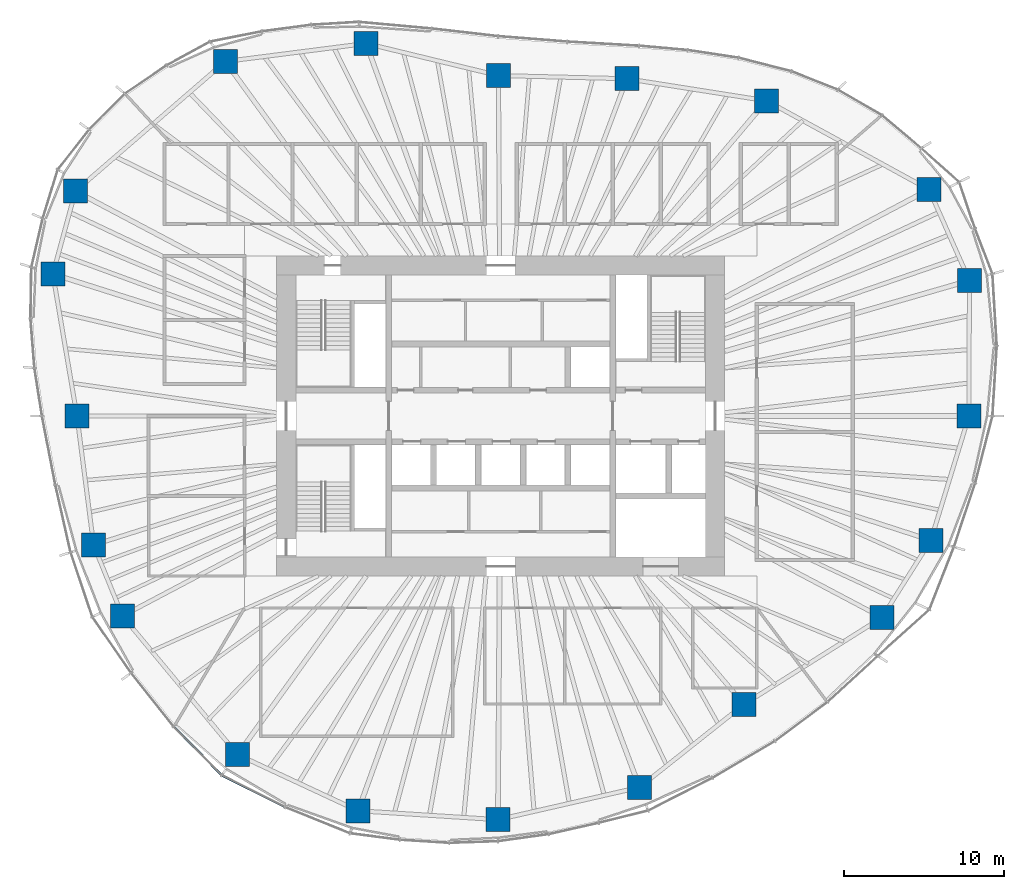
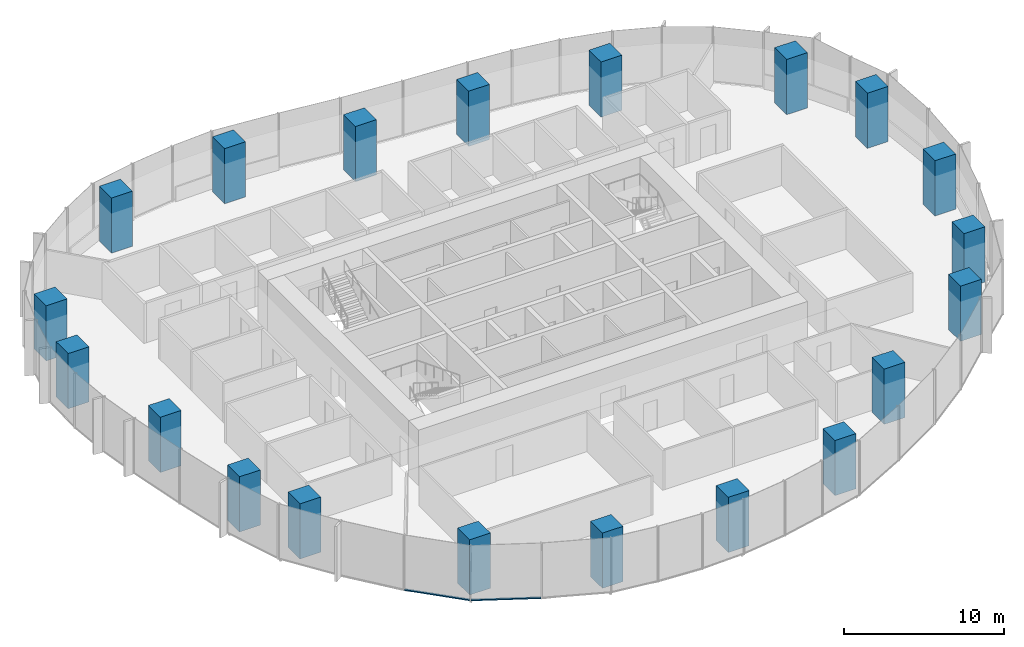
# One storey, part 1 of 18: 20 columns, 2 members, 2 elements without a shape of their own.
"""IFC4 building model written with IfcOpenShell, lengths in metres."""

from ifc_helpers import new_model, si_unit, direction, frame, origin, origin_2d, place, context, subcontext, project, spatial, rectangle, extrude, material, material_profile, profile_set, type_object, element, aggregate, save


model = new_model("IFC4")

# Units and contexts
model_context = context("Model", 3, precision=1e-05, world=origin(), true_north=direction((0.0, 1.0)))
body_context = subcontext(model_context, "Body", "Model", "MODEL_VIEW")
ifc_project = project(units=[si_unit("LENGTHUNIT", "METRE"), si_unit("AREAUNIT", "SQUARE_METRE"), si_unit("VOLUMEUNIT", "CUBIC_METRE"), si_unit("PLANEANGLEUNIT", "RADIAN"), si_unit("MASSUNIT", "GRAM", prefix="KILO")], contexts=[model_context])

# Site, building, storey
site_placement = place(None, origin())
site = spatial("IfcSite", under=ifc_project, at=site_placement, CompositionType="ELEMENT")
building_placement = place(site_placement, origin())
building = spatial("IfcBuilding", under=site, at=building_placement, Name="Ghaith Harvest Tower", CompositionType="ELEMENT")
storey_placement = place(building_placement, frame((0.0, 0.0, 138.60009765625)))
storey = spatial("IfcBuildingStorey", under=building, at=storey_placement, Name="L29", CompositionType="ELEMENT", Elevation=138.60009765625)

# Columns
ifc_material_1 = material(Name="Concrete C60/75", Category="concrete")
ifc_material_profile_1 = material_profile(ifc_material_1, rectangle(XDim=1.5, YDim=1.5, at=origin_2d()), Name="RC1500X1500")
ifc_profile_set_1 = profile_set([ifc_material_profile_1], Name="Concrete C60/75")
column_type = type_object("IfcColumnType", Name="TC3 RC1500X1500", PredefinedType="COLUMN", material=ifc_profile_set_1)
for number, where, z_axis, x_axis, name in (
    (1, (29.259033203125, 0.0, 0.0), (0.0, 0.0, 1.0), (1.0, 0.0, 0.0), "Perimeter column C01"),
    (2, (29.285888671875, 8.464111328125, 0.0), (0.0, 0.0, 1.0), (1.0, 0.0, 0.0), "Perimeter column C02"),
    (3, (26.763916015625, 14.14697265625, 0.0), (0.0, 0.0, 1.0), (1.0, 0.0, 0.0), "Perimeter column C03"),
    (4, (16.60791015625, 19.695068359375, 0.0), (0.0, 0.0, 1.0), (1.0, 0.0, 0.0), "Perimeter column C04"),
    (5, (7.8779296875, 21.072021484375, 0.0), (0.0, 0.0, 1.0), (1.0, 0.0, 0.0), "Perimeter column C05"),
    (6, (-0.14599609375, 21.27099609375, 0.0), (0.0, 0.0, 1.0), (1.0, 0.0, 0.0), "Perimeter column C06"),
    (7, (-8.406982421875, 23.27587890625, 0.0), (0.0, 0.0, 1.0), (1.0, 0.0, 0.0), "Perimeter column C07"),
    (8, (-17.201904296875, 22.14990234375, 0.0), (0.0, 0.0, 1.0), (1.0, 0.0, 0.0), "Perimeter column C08"),
    (9, (-26.572998046875, 14.0458984375, 0.0), (0.0, 0.0, 1.0), (1.0, 0.0, 0.0), "Perimeter column C09"),
    (10, (-27.98291015625, 8.867919921875, 0.0), (0.0, 0.0, 1.0), (1.0, 0.0, 0.0), "Perimeter column C10"),
    (11, (-26.47509765625, 0.0, 0.0), (0.0, 0.0, 1.0), (1.0, 0.0, 0.0), "Perimeter column C11"),
    (12, (-25.43603515625, -8.06103515625, 0.0), (0.0, 0.0, 1.0), (1.0, 0.0, 0.0), "Perimeter column C12"),
    (13, (-23.635009765625, -12.492919921875, 0.0), (0.0, 0.0, 1.0), (1.0, 0.0, 0.0), "Perimeter column C13"),
    (14, (-16.43701171875, -21.1640625, 0.0), (0.0, 0.0, 1.0), (1.0, 0.0, 0.0), "Perimeter column C14"),
    (15, (-8.908935546875, -24.66796875, 0.0), (0.0, 0.0, 1.0), (1.0, 0.0, 0.0), "Perimeter column C15"),
    (16, (-0.173095703125, -25.22412109375, 0.0), (0.0, 0.0, 1.0), (1.0, 0.0, 0.0), "Perimeter column C16"),
    (17, (8.674072265625, -23.202880859375, 0.0), (0.0, 0.0, 1.0), (1.0, 0.0, 0.0), "Perimeter column C17"),
    (18, (15.197998046875, -18.02294921875, 0.0), (0.0, 0.0, 1.0), (1.0, 0.0, 0.0), "Perimeter column C18"),
    (19, (23.825927734375, -12.593994140625, 0.0), (0.0, 0.0, 1.0), (1.0, 0.0, 0.0), "Perimeter column C19"),
    (20, (26.8779296875, -7.76806640625, 0.0), (0.0, 0.0, 1.0), (1.0, 0.0, 0.0), "Perimeter column C20"),
):
    element("IfcColumn", number, at=place(storey_placement, frame(where, z_axis=z_axis, x_axis=x_axis)), inside=storey, type_object=column_type, Name=name, PredefinedType="COLUMN", context=body_context, shape_type="SweptSolid", body=[
        extrude(rectangle(XDim=1.5, YDim=1.5, at=origin_2d()), origin(), (0.0, 0.0, 1.0), 4.199951171875),
    ])

# Curtain wall, member
ifc_material_2 = material(Name="Black anodised aluminium and fritted glass", Category="aluminium")
curtain_wall_type = type_object("IfcCurtainWallType", Name="CW-L CURTAIN WALL", PredefinedType="NOTDEFINED", material=ifc_material_2)
curtain_wall_1_placement = place(storey_placement, origin())
curtain_wall_1 = element("IfcCurtainWall", 21, at=curtain_wall_1_placement, inside=storey, type_object=curtain_wall_type, Name="Curtain wall CW-L bay 13 L29", PredefinedType="NOTDEFINED")
ifc_material_3 = material(Name="Aluminium, black anodised", Category="aluminium")
ifc_material_profile_2 = material_profile(ifc_material_3, rectangle(XDim=0.14990234375, YDim=0.080078125, at=origin_2d()), Name="CW-L TRANSOM 150x80")
ifc_profile_set_2 = profile_set([ifc_material_profile_2], Name="Aluminium, black anodised")
member_type = type_object("IfcMemberType", Name="CW-L TRANSOM 150x80", PredefinedType="USERDEFINED", material=ifc_profile_set_2)
member_1_placement = place(storey_placement, frame((-20.4130859375, -19.425048828125, 0.039794921875), z_axis=(0.702854410476, -0.711333731574, 0.0), x_axis=(0.711333731574, 0.702854410476, 0.0)))
member_1 = element("IfcMember", 22, at=member_1_placement, type_object=member_type, Name="CW-L transom 2 bay 13 L29", ObjectType="TRANSOM", PredefinedType="USERDEFINED", context=body_context, shape_type="SweptSolid", body=[
    extrude(rectangle(XDim=0.14990234375, YDim=0.080078125, at=origin_2d()), origin(), (0.0, 0.0, 1.0), 4.20361328125),
])
aggregate(curtain_wall_1, [member_1])

curtain_wall_2_placement = place(storey_placement, origin())
curtain_wall_2 = element("IfcCurtainWall", 23, at=curtain_wall_2_placement, inside=storey, type_object=curtain_wall_type, Name="Curtain wall CW-L bay 14 L29", PredefinedType="NOTDEFINED")
member_2_placement = place(storey_placement, frame((-17.394775390625, -22.461669921875, 0.039794921875), z_axis=(0.893057524502, -0.449942505138, 0.0), x_axis=(0.449942505138, 0.893057524502, 0.0)))
member_2 = element("IfcMember", 24, at=member_2_placement, type_object=member_type, Name="CW-L transom 1 bay 14 L29", ObjectType="TRANSOM", PredefinedType="USERDEFINED", context=body_context, shape_type="SweptSolid", body=[
    extrude(rectangle(XDim=0.14990234375, YDim=0.080078125, at=origin_2d()), origin(), (0.0, 0.0, 1.0), 4.362548828125),
])
aggregate(curtain_wall_2, [member_2])

save(model, "model.ifc")
